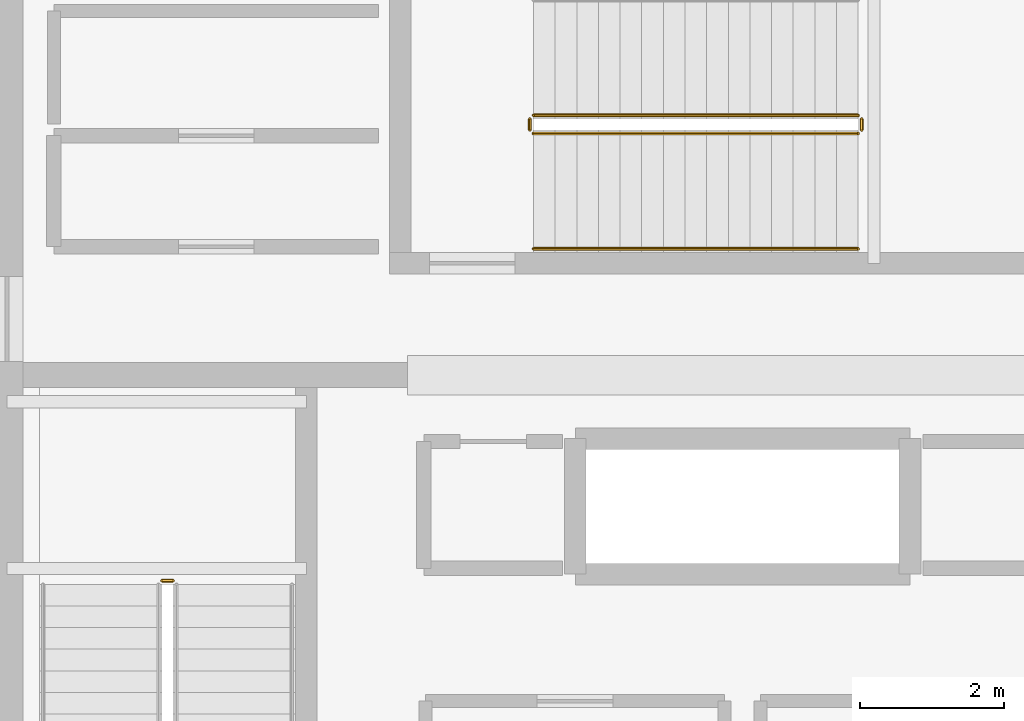
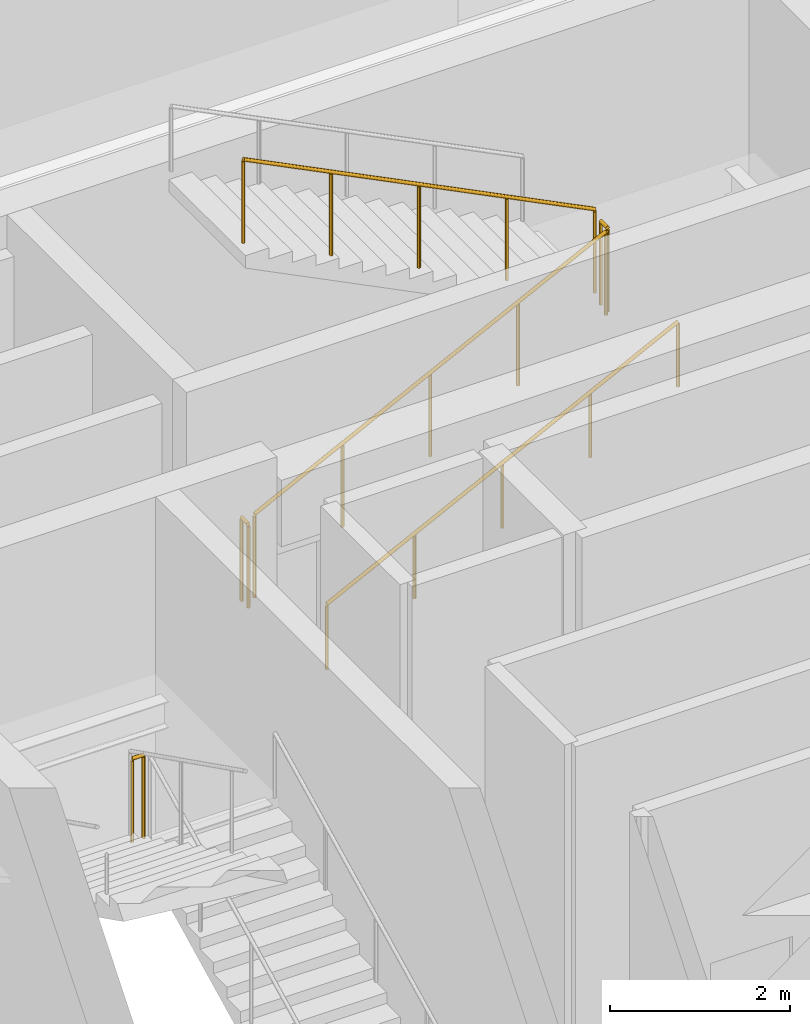
# One storey, part 42 of 44: 6 railings.
"""IFC4 building model written with IfcOpenShell, lengths in metres."""

import ifcopenshell
import ifcopenshell.guid

model = None  # the IFC model being written
_history = None  # IfcOwnerHistory: only IFC2X3 demands one
_inside = {}  # id of a spatial element -> (the spatial element, [elements in it])
_under = {}  # id of a project, library or spatial element -> (it, [spatial elements below it])
_declared = {}  # id of a project -> (the project, [libraries it declares])
_typed = {}  # id of a type object -> (the type object, [elements of that type])
_made_of = {}  # id of a material, layer set ... -> (it, [elements and type objects made of it])


def new_model(schema):
    """Start an empty IFC model of exactly this schema.

    Asked for "IFC4X3", IfcOpenShell would pick the latest addendum, in which some entities
    have other attributes; the version numbers below select the first issue.
    IFC2X3 requires an IfcOwnerHistory on every rooted entity: one is made here for all.
    """
    global model, _history
    if schema == "IFC4X3":
        model = ifcopenshell.file(schema_version=(4, 3, 0, 0))
    else:
        model = ifcopenshell.file(schema=schema)
    _inside.clear()
    _under.clear()
    _declared.clear()
    _typed.clear()
    _made_of.clear()
    _history = None
    if model.schema == "IFC2X3":
        org = make("IfcOrganization", Name="unknown")
        user = make(
            "IfcPersonAndOrganization",
            ThePerson=make("IfcPerson", FamilyName="unknown"),
            TheOrganization=org,
        )
        app = make(
            "IfcApplication",
            ApplicationDeveloper=org,
            Version="unknown",
            ApplicationFullName="unknown",
            ApplicationIdentifier="unknown",
        )
        _history = make(
            "IfcOwnerHistory",
            OwningUser=user,
            OwningApplication=app,
            ChangeAction="ADDED",
            CreationDate=0,
        )
    return model


def make(cls, **values):
    """One entity of the class cls with the attributes given. An attribute that is None is left unset."""
    return model.create_entity(
        cls, **{name: value for name, value in values.items() if value is not None}
    )


def rooted(cls, **values):
    """An entity with a GlobalId (a new one), such as an element, a storey or a relation."""
    return make(cls, GlobalId=ifcopenshell.guid.new(), OwnerHistory=_history, **values)


def si_unit(unit_type, name, prefix=None):
    """IfcSIUnit, for example si_unit("LENGTHUNIT", "METRE", prefix="MILLI")."""
    return make("IfcSIUnit", UnitType=unit_type, Prefix=prefix, Name=name)


def assignment(units):
    """IfcUnitAssignment: the units of a project."""
    return None if units is None else make("IfcUnitAssignment", Units=units)


def point(xyz):
    """IfcCartesianPoint."""
    return None if xyz is None else make("IfcCartesianPoint", Coordinates=xyz)


def direction(xyz):
    """IfcDirection."""
    return None if xyz is None else make("IfcDirection", DirectionRatios=xyz)


def frame(location, z_axis=None, x_axis=None):
    """IfcAxis2Placement3D, a coordinate frame: its origin and axes. An axis left out is left unset."""
    return make(
        "IfcAxis2Placement3D",
        Location=point(location),
        Axis=direction(z_axis),
        RefDirection=direction(x_axis),
    )


def frame_2d(location, x_axis=None):
    """IfcAxis2Placement2D, a coordinate frame in the plane: its origin and x axis."""
    return make(
        "IfcAxis2Placement2D", Location=point(location), RefDirection=direction(x_axis)
    )


def origin():
    """The frame at (0, 0, 0) with its axes left unset."""
    return frame((0.0, 0.0, 0.0))


def origin_2d():
    """The frame at (0, 0) in the plane with its x axis left unset."""
    return frame_2d((0.0, 0.0))


def place(relative_to, where):
    """IfcLocalPlacement: puts the frame where relative to a parent placement (None: the world)."""
    return make(
        "IfcLocalPlacement", PlacementRelTo=relative_to, RelativePlacement=where
    )


def context(
    kind, dimensions, precision=None, world=None, true_north=None, identifier=None
):
    """IfcGeometricRepresentationContext, for example the 3D "Model" context."""
    return make(
        "IfcGeometricRepresentationContext",
        ContextIdentifier=identifier,
        ContextType=kind,
        CoordinateSpaceDimension=dimensions,
        Precision=precision,
        WorldCoordinateSystem=world,
        TrueNorth=true_north,
    )


def subcontext(parent, identifier, kind, view, scale=None):
    """IfcGeometricRepresentationSubContext, for example "Body" below "Model"."""
    return make(
        "IfcGeometricRepresentationSubContext",
        ContextIdentifier=identifier,
        ContextType=kind,
        ParentContext=parent,
        TargetScale=scale,
        TargetView=view,
    )


def project(units=None, contexts=None):
    """IfcProject with its units and contexts."""
    return rooted(
        "IfcProject",
        Name="project",
        RepresentationContexts=contexts,
        UnitsInContext=assignment(units),
    )


def spatial(cls, under=None, at=None, **own):
    """A site, building, storey or space (cls), placed at a placement, below another one or the project."""
    s = rooted(cls, ObjectPlacement=at, **own)
    if under is not None:
        _under.setdefault(under.id(), (under, []))[1].append(s)
    return s


def profile(cls, at=None, kind="AREA", **sizes):
    """A parametric profile (cls). Its sizes go by their IFC names, for example OverallWidth=200.0."""
    return make(cls, ProfileType=kind, Position=at, **sizes)


def circle(**sizes):
    """IfcCircleProfileDef."""
    return profile("IfcCircleProfileDef", **sizes)


def extrude(swept, where, along, depth):
    """IfcExtrudedAreaSolid: the profile swept, set in the frame where, extruded along a direction by depth."""
    return make(
        "IfcExtrudedAreaSolid",
        SweptArea=swept,
        Position=where,
        ExtrudedDirection=direction(along),
        Depth=depth,
    )


def shape(context_of_items, identifier, shape_type, items):
    """IfcShapeRepresentation: the items that make up one representation, for example the "Body"."""
    return make(
        "IfcShapeRepresentation",
        ContextOfItems=context_of_items,
        RepresentationIdentifier=identifier,
        RepresentationType=shape_type,
        Items=items,
    )


def material(Name=None, Category=None):
    """IfcMaterial."""
    return make("IfcMaterial", Name=Name, Category=Category)


def made_of(thing, what):
    """Note that an element or type object is made of a material, layer set ...; save() writes the relation."""
    if what is not None:
        _made_of.setdefault(what.id(), (what, []))[1].append(thing)
    return thing


def type_object(cls, material=None, **own):
    """A type object (cls), such as IfcWallType, which elements share."""
    return made_of(rooted(cls, **own), material)


def element(
    cls,
    number,
    at=None,
    inside=None,
    cuts=None,
    type_object=None,
    material=None,
    context=None,
    identifier="Body",
    shape_type=None,
    held_by="IfcProductDefinitionShape",
    body=None,
    shapes=None,
    **own,
):
    """One element of the class cls, such as IfcWall. Its Tag is "e" and its number.

    at: its placement. inside: the storey or other place that contains it. cuts: it is an
    opening in that element (IfcRelVoidsElement). A single representation is given by context,
    identifier, shape_type and body (its items); several are given by shapes. held_by: the class
    of the entity that holds the representations. save() writes the other relations.
    """
    e = rooted(cls, Tag="e%d" % number, ObjectPlacement=at, **own)
    if body is not None:
        shapes = [shape(context, identifier, shape_type, body)]
    if shapes is not None:
        e.Representation = make(held_by, Representations=shapes)
    if inside is not None:
        _inside.setdefault(inside.id(), (inside, []))[1].append(e)
    if cuts is not None:
        rooted(
            "IfcRelVoidsElement", RelatingBuildingElement=cuts, RelatedOpeningElement=e
        )
    if type_object is not None:
        _typed.setdefault(type_object.id(), (type_object, []))[1].append(e)
    return made_of(e, material)


def aggregate(whole, parts):
    """IfcRelAggregates: a whole, such as a stair, and the parts it consists of."""
    return rooted("IfcRelAggregates", RelatingObject=whole, RelatedObjects=parts)


def save(model, path):
    """Write the relations noted so far, then the file.

    IfcRelAggregates (storeys below a building ...), IfcRelContainedInSpatialStructure (elements
    in a storey), IfcRelDefinesByType, IfcRelAssociatesMaterial and IfcRelDeclares: one each for
    every whole, place, type object, material and project.
    """
    for whole, parts in _under.values():
        aggregate(whole, parts)
    for where, things in _inside.values():
        rooted(
            "IfcRelContainedInSpatialStructure",
            RelatedElements=things,
            RelatingStructure=where,
        )
    for kind, things in _typed.values():
        rooted("IfcRelDefinesByType", RelatedObjects=things, RelatingType=kind)
    for what, things in _made_of.values():
        rooted("IfcRelAssociatesMaterial", RelatedObjects=things, RelatingMaterial=what)
    for by, libraries in _declared.values():
        rooted("IfcRelDeclares", RelatingContext=by, RelatedDefinitions=libraries)
    model.write(path)


model = new_model("IFC4")

# Units and contexts
model_context = context("Model", 3, precision=1e-05, world=origin(), true_north=direction((0.0, 1.0)))
body_context = subcontext(model_context, "Body", "Model", "MODEL_VIEW")
ifc_project = project(units=[si_unit("LENGTHUNIT", "METRE"), si_unit("AREAUNIT", "SQUARE_METRE"), si_unit("VOLUMEUNIT", "CUBIC_METRE"), si_unit("PLANEANGLEUNIT", "RADIAN"), si_unit("MASSUNIT", "GRAM", prefix="KILO")], contexts=[model_context])

# Site, building, storey
site_placement = place(None, origin())
site = spatial("IfcSite", under=ifc_project, at=site_placement, CompositionType="ELEMENT")
building_placement = place(site_placement, origin())
building = spatial("IfcBuilding", under=site, at=building_placement, Name="Punatoya Terracotta Tower", CompositionType="ELEMENT")
storey_placement = place(building_placement, frame((0.0, 0.0, 334.199951171875)))
storey = spatial("IfcBuildingStorey", under=building, at=storey_placement, Name="L79", CompositionType="ELEMENT", Elevation=334.199951171875)

# Railings
ifc_material = material(Name="Steel S355", Category="steel")
railing_type_1 = type_object("IfcRailingType", Name="RLG-GRD-1150", PredefinedType="GUARDRAIL", material=ifc_material)
railing_1_placement = place(storey_placement, frame((-7.89990234375, 0.75, 2.400146484375)))
element("IfcRailing", 1, at=railing_1_placement, inside=storey, type_object=railing_type_1, Name="L79 ST-1 stair guard 2", PredefinedType="GUARDRAIL", context=body_context, shape_type="SweptSolid", body=[
    extrude(circle(Radius=0.02392578125, at=origin_2d()), frame((0.0, 0.0, 1.1259765625), z_axis=(-1.0, 0.0, 0.0), x_axis=(0.0, -1.0, 0.0)), (0.0, 0.0, 1.0), 0.150146484375),
    extrude(circle(Radius=0.02099609375, at=origin_2d()), origin(), (0.0, 0.0, 1.0), 1.101806640625),
    extrude(circle(Radius=0.02099609375, at=origin_2d()), frame((-0.150146484375, 0.0, 0.0)), (0.0, 0.0, 1.0), 1.101806640625),
])
railing_2_placement = place(storey_placement, frame((-2.89990234375, 6.949951171875, 0.150146484375)))
element("IfcRailing", 2, at=railing_2_placement, inside=storey, type_object=railing_type_1, Name="L79 ST-3 stair guard 1", PredefinedType="GUARDRAIL", context=body_context, shape_type="SweptSolid", body=[
    extrude(circle(Radius=0.02392578125, at=origin_2d()), frame((0.0, 0.0, 1.1259765625), z_axis=(0.894427191, 0.0, 0.4472135955), x_axis=(0.0, 1.0, 0.0)), (0.0, 0.0, 1.0), 5.03125),
    extrude(circle(Radius=0.02099609375, at=origin_2d()), origin(), (0.0, 0.0, 1.0), 1.101806640625),
    extrude(circle(Radius=0.02099609375, at=origin_2d()), frame((1.125, 0.0, 0.5625)), (0.0, 0.0, 1.0), 1.101806640625),
    extrude(circle(Radius=0.02099609375, at=origin_2d()), frame((2.25, 0.0, 1.125)), (0.0, 0.0, 1.0), 1.101806640625),
    extrude(circle(Radius=0.02099609375, at=origin_2d()), frame((3.375, 0.0, 1.6875)), (0.0, 0.0, 1.0), 1.101806640625),
    extrude(circle(Radius=0.02099609375, at=origin_2d()), frame((4.5, 0.0, 2.25)), (0.0, 0.0, 1.0), 1.101806640625),
])
railing_3_placement = place(storey_placement, frame((1.64990234375, 7.0, 2.400146484375)))
element("IfcRailing", 3, at=railing_3_placement, inside=storey, type_object=railing_type_1, Name="L79 ST-3 stair guard 2", PredefinedType="GUARDRAIL", context=body_context, shape_type="SweptSolid", body=[
    extrude(circle(Radius=0.02392578125, at=origin_2d()), frame((0.0, 0.0, 1.1259765625), z_axis=(0.0, 1.0, 0.0), x_axis=(-1.0, 0.0, 0.0)), (0.0, 0.0, 1.0), 0.14990234375),
    extrude(circle(Radius=0.02099609375, at=origin_2d()), origin(), (0.0, 0.0, 1.0), 1.101806640625),
    extrude(circle(Radius=0.02099609375, at=origin_2d()), frame((0.0, 0.14990234375, 0.0)), (0.0, 0.0, 1.0), 1.101806640625),
])
railing_4_placement = place(storey_placement, frame((1.60009765625, 7.199951171875, 2.550048828125)))
element("IfcRailing", 4, at=railing_4_placement, inside=storey, type_object=railing_type_1, Name="L79 ST-3 stair guard 3", PredefinedType="GUARDRAIL", context=body_context, shape_type="SweptSolid", body=[
    extrude(circle(Radius=0.02392578125, at=origin_2d()), frame((0.0, 0.0, 1.1259765625), z_axis=(-0.894427191, 0.0, 0.4472135955), x_axis=(0.0, -1.0, 0.0)), (0.0, 0.0, 1.0), 5.03125),
    extrude(circle(Radius=0.02099609375, at=origin_2d()), origin(), (0.0, 0.0, 1.0), 1.101806640625),
    extrude(circle(Radius=0.02099609375, at=origin_2d()), frame((-1.125, 0.0, 0.5625)), (0.0, 0.0, 1.0), 1.101806640625),
    extrude(circle(Radius=0.02099609375, at=origin_2d()), frame((-2.25, 0.0, 1.125)), (0.0, 0.0, 1.0), 1.101806640625),
    extrude(circle(Radius=0.02099609375, at=origin_2d()), frame((-3.375, 0.0, 1.6875)), (0.0, 0.0, 1.0), 1.101806640625),
    extrude(circle(Radius=0.02099609375, at=origin_2d()), frame((-4.5, 0.0, 2.25)), (0.0, 0.0, 1.0), 1.101806640625),
])
railing_5_placement = place(storey_placement, frame((-2.949951171875, 7.0, 0.0)))
element("IfcRailing", 5, at=railing_5_placement, inside=storey, type_object=railing_type_1, Name="L79 ST-3 stair guard 4", PredefinedType="GUARDRAIL", context=body_context, shape_type="SweptSolid", body=[
    extrude(circle(Radius=0.02392578125, at=origin_2d()), frame((0.0, 0.0, 1.1259765625), z_axis=(0.0, 1.0, 0.0), x_axis=(-1.0, 0.0, 0.0)), (0.0, 0.0, 1.0), 0.14990234375),
    extrude(circle(Radius=0.02099609375, at=origin_2d()), origin(), (0.0, 0.0, 1.0), 1.101806640625),
    extrude(circle(Radius=0.02099609375, at=origin_2d()), frame((0.0, 0.14990234375, 0.0)), (0.0, 0.0, 1.0), 1.101806640625),
])
railing_type_2 = type_object("IfcRailingType", Name="RLG-HND-900", PredefinedType="HANDRAIL", material=ifc_material)
railing_6_placement = place(storey_placement, frame((-2.89990234375, 5.35009765625, 0.150146484375)))
element("IfcRailing", 6, at=railing_6_placement, inside=storey, type_object=railing_type_2, Name="L79 ST-3 stair handrail 1", PredefinedType="HANDRAIL", context=body_context, shape_type="SweptSolid", body=[
    extrude(circle(Radius=0.02392578125, at=origin_2d()), frame((0.0, 0.0, 0.8759765625), z_axis=(0.894427191, 0.0, 0.4472135955), x_axis=(0.0, 1.0, 0.0)), (0.0, 0.0, 1.0), 5.03125),
    extrude(circle(Radius=0.02099609375, at=origin_2d()), origin(), (0.0, 0.0, 1.0), 0.851806640625),
    extrude(circle(Radius=0.02099609375, at=origin_2d()), frame((1.125, 0.0, 0.5625)), (0.0, 0.0, 1.0), 0.851806640625),
    extrude(circle(Radius=0.02099609375, at=origin_2d()), frame((2.25, 0.0, 1.125)), (0.0, 0.0, 1.0), 0.851806640625),
    extrude(circle(Radius=0.02099609375, at=origin_2d()), frame((3.375, 0.0, 1.6875)), (0.0, 0.0, 1.0), 0.851806640625),
    extrude(circle(Radius=0.02099609375, at=origin_2d()), frame((4.5, 0.0, 2.25)), (0.0, 0.0, 1.0), 0.851806640625),
])

save(model, "model.ifc")
